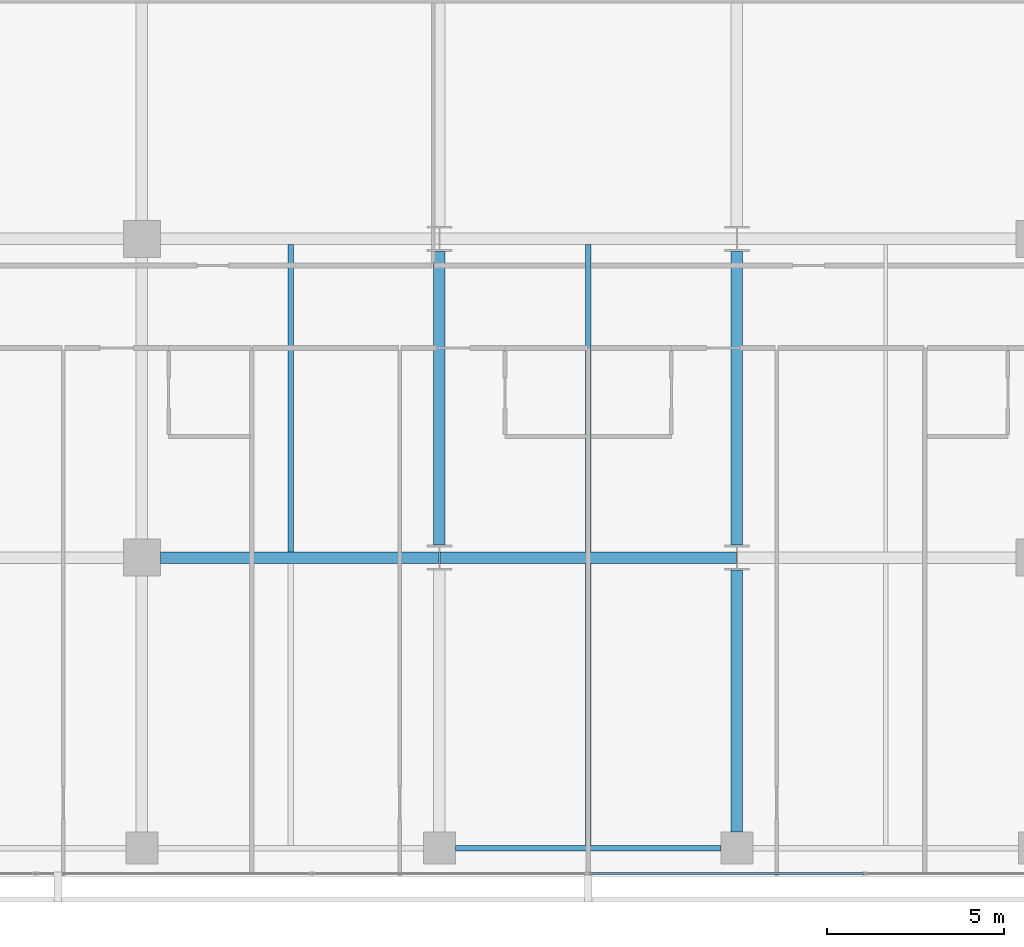
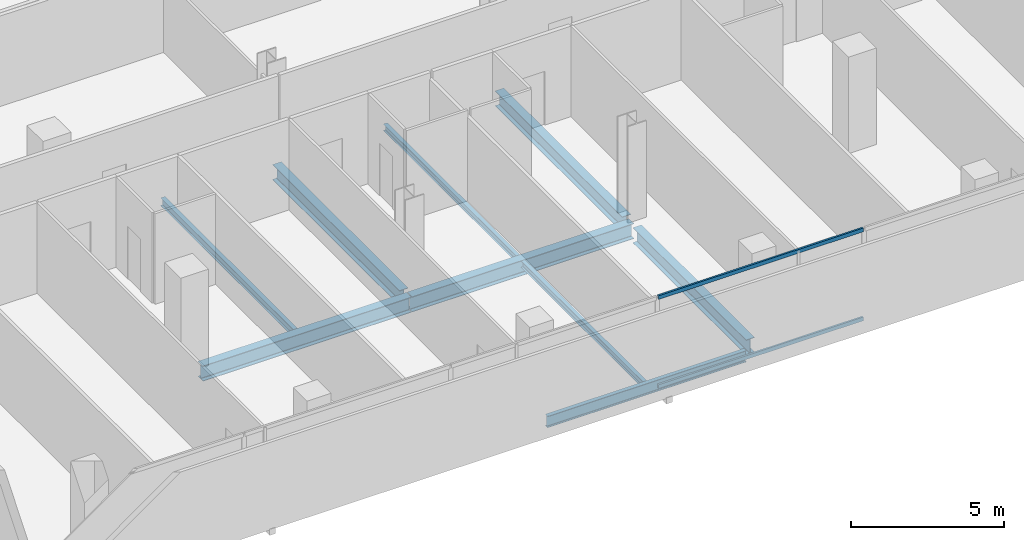
# One storey, part 9 of 40: 9 beams, 2 members, 1 element without a shape of its own.
"""IFC4 building model written with IfcOpenShell, lengths in metres."""

from ifc_helpers import new_model, si_unit, direction, frame, origin, origin_2d, place, context, subcontext, project, spatial, hollow_rectangle, i_section, extrude, material, layer, layer_set, material_profile, profile_set, type_object, element, aggregate, save


model = new_model("IFC4")

# Units and contexts
model_context = context("Model", 3, precision=1e-05, world=origin(), true_north=direction((0.0, 1.0)))
body_context = subcontext(model_context, "Body", "Model", "MODEL_VIEW")
ifc_project = project(units=[si_unit("LENGTHUNIT", "METRE"), si_unit("AREAUNIT", "SQUARE_METRE"), si_unit("VOLUMEUNIT", "CUBIC_METRE"), si_unit("PLANEANGLEUNIT", "RADIAN"), si_unit("MASSUNIT", "GRAM", prefix="KILO")], contexts=[model_context])

# Site, building, storey
site_placement = place(None, origin())
site = spatial("IfcSite", under=ifc_project, at=site_placement, CompositionType="ELEMENT")
building_placement = place(site_placement, origin())
building = spatial("IfcBuilding", under=site, at=building_placement, Name="Maruvema Waterfront Hotel and Observation Tower", CompositionType="ELEMENT")
storey_placement = place(building_placement, frame((0.0, 0.0, 100.10009765625)))
storey = spatial("IfcBuildingStorey", under=building, at=storey_placement, Name="L24", CompositionType="ELEMENT", Elevation=100.10009765625)

# Curtain wall, members
ifc_material_1 = material(Name="Anodised bronze aluminium and solar-control low-E IGU", Category="aluminium")
ifc_layer = layer(ifc_material_1, 0.159912109375, Name="Zone 1 Bronze Inner Thermal Curtain Wall System CW-02")
ifc_layer_set = layer_set([ifc_layer], Name="Anodised bronze aluminium and solar-control low-E IGU")
curtain_wall_type = type_object("IfcCurtainWallType", Name="Zone 1 Bronze Inner Thermal Curtain Wall System CW-02", PredefinedType="USERDEFINED", material=ifc_layer_set)
curtain_wall_placement = place(storey_placement, origin())
curtain_wall = element("IfcCurtainWall", 1, at=curtain_wall_placement, inside=storey, type_object=curtain_wall_type, Name="L24 Curtain Wall CW-L24-S", ObjectType="UNITISED CURTAIN WALL", PredefinedType="USERDEFINED")
ifc_material_2 = material(Name="Anodised architectural bronze aluminium", Category="aluminium")
ifc_material_profile_1 = material_profile(ifc_material_2, hollow_rectangle(XDim=0.070068359375, YDim=0.14990234375, WallThickness=0.00390625, at=origin_2d()), Name="ALU-T70x150")
ifc_profile_set_1 = profile_set([ifc_material_profile_1], Name="Anodised architectural bronze aluminium")
member_type = type_object("IfcMemberType", Name="Curtain Wall Horizontal Transom ALU-T70x150", PredefinedType="USERDEFINED", material=ifc_profile_set_1)
member_1_placement = place(storey_placement, frame((37.830078125, 0.080078125, 0.02978515625), z_axis=(1.0, 0.0, 0.0), x_axis=(0.0, 1.0, 0.0)))
member_1 = element("IfcMember", 2, at=member_1_placement, type_object=member_type, Name="CW-02 transom 4.1", ObjectType="TRANSOM", PredefinedType="USERDEFINED", context=body_context, shape_type="SweptSolid", body=[
    extrude(hollow_rectangle(XDim=0.070068359375, YDim=0.14990234375, WallThickness=0.00390625, at=origin_2d()), origin(), (0.0, 0.0, 1.0), 7.739990234375),
])
member_2_placement = place(storey_placement, frame((37.830078125, 0.080078125, 3.579833984375), z_axis=(1.0, 0.0, 0.0), x_axis=(0.0, 1.0, 0.0)))
member_2 = element("IfcMember", 3, at=member_2_placement, type_object=member_type, Name="CW-02 transom 4.2", ObjectType="TRANSOM", PredefinedType="USERDEFINED", context=body_context, shape_type="SweptSolid", body=[
    extrude(hollow_rectangle(XDim=0.070068359375, YDim=0.14990234375, WallThickness=0.00390625, at=origin_2d()), origin(), (0.0, 0.0, 1.0), 7.739990234375),
])
aggregate(curtain_wall, [member_1, member_2])

# Beams
ifc_material_3 = material(Name="Steel ASTM A572 Grade 50", Category="steel")
ifc_material_profile_2 = material_profile(ifc_material_3, i_section(OverallWidth=0.153076171875, OverallDepth=0.455078125, WebThickness=0.008056640625, FlangeThickness=0.01318359375, FilletRadius=0.014892578125, at=origin_2d()), Name="W460x60.0")
ifc_profile_set_2 = profile_set([ifc_material_profile_2], Name="Steel ASTM A572 Grade 50")
beam_type_1 = type_object("IfcBeamType", Name="Perimeter Spandrel Beam W460x60.0", PredefinedType="SPANDREL", material=ifc_profile_set_2)
beam_1_placement = place(storey_placement, frame((34.050048828125, 0.800048828125, -0.467529296875), z_axis=(1.0, 0.0, 0.0), x_axis=(0.0, 1.0, 0.0)))
element("IfcBeam", 4, at=beam_1_placement, inside=storey, type_object=beam_type_1, Name="L24 Floor Girder EW-03", PredefinedType="SPANDREL", context=body_context, shape_type="SweptSolid", body=[
    extrude(i_section(OverallWidth=0.153076171875, OverallDepth=0.455078125, WebThickness=0.008056640625, FlangeThickness=0.01318359375, FilletRadius=0.014892578125, at=origin_2d()), origin(), (0.0, 0.0, 1.0), 7.5),
])
ifc_material_4 = material(Name="Steel ASTM A572 Grade 50", Category="steel")
ifc_material_profile_3 = material_profile(ifc_material_4, i_section(OverallWidth=0.323974609375, OverallDepth=0.611083984375, WebThickness=0.0126953125, FlangeThickness=0.01904296875, FilletRadius=0.01806640625, at=origin_2d()), Name="W610x155.0")
ifc_profile_set_3 = profile_set([ifc_material_profile_3], Name="Steel ASTM A572 Grade 50")
beam_type_2 = type_object("IfcBeamType", Name="Primary Floor Girder W610x155.0", PredefinedType="BEAM", material=ifc_profile_set_3)
beam_2_placement = place(storey_placement, frame((25.72509765625, 9.0, -0.545654296875), z_axis=(1.0, 0.0, 0.0), x_axis=(0.0, 1.0, 0.0)))
element("IfcBeam", 5, at=beam_2_placement, inside=storey, type_object=beam_type_2, Name="L24 Floor Girder EW-08", PredefinedType="BEAM", context=body_context, shape_type="SweptSolid", body=[
    extrude(i_section(OverallWidth=0.323974609375, OverallDepth=0.611083984375, WebThickness=0.0126953125, FlangeThickness=0.01904296875, FilletRadius=0.01806640625, at=origin_2d()), origin(), (0.0, 0.0, 1.0), 7.86083984375),
])
beam_3_placement = place(storey_placement, frame((33.614013671875, 9.0, -0.545654296875), z_axis=(1.0, 0.0, 0.0), x_axis=(0.0, 1.0, 0.0)))
element("IfcBeam", 6, at=beam_3_placement, inside=storey, type_object=beam_type_2, Name="L24 Floor Girder EW-09", PredefinedType="BEAM", context=body_context, shape_type="SweptSolid", body=[
    extrude(i_section(OverallWidth=0.323974609375, OverallDepth=0.611083984375, WebThickness=0.0126953125, FlangeThickness=0.01904296875, FilletRadius=0.01806640625, at=origin_2d()), origin(), (0.0, 0.0, 1.0), 8.3720703125),
])
beam_4_placement = place(storey_placement, frame((33.60009765625, 9.35009765625, -0.545654296875), z_axis=(0.0, 1.0, 0.0), x_axis=(-1.0, 0.0, 0.0)))
element("IfcBeam", 7, at=beam_4_placement, inside=storey, type_object=beam_type_2, Name="L24 Floor Girder NS-17", PredefinedType="BEAM", context=body_context, shape_type="SweptSolid", body=[
    extrude(i_section(OverallWidth=0.323974609375, OverallDepth=0.611083984375, WebThickness=0.0126953125, FlangeThickness=0.01904296875, FilletRadius=0.01806640625, at=origin_2d()), origin(), (0.0, 0.0, 1.0), 8.2998046875),
])
beam_5_placement = place(storey_placement, frame((42.0, 1.25, -0.545654296875), z_axis=(0.0, 1.0, 0.0), x_axis=(-1.0, 0.0, 0.0)))
element("IfcBeam", 8, at=beam_5_placement, inside=storey, type_object=beam_type_2, Name="L24 Floor Girder NS-19", PredefinedType="BEAM", context=body_context, shape_type="SweptSolid", body=[
    extrude(i_section(OverallWidth=0.323974609375, OverallDepth=0.611083984375, WebThickness=0.0126953125, FlangeThickness=0.01904296875, FilletRadius=0.01806640625, at=origin_2d()), origin(), (0.0, 0.0, 1.0), 7.39990234375),
])
beam_6_placement = place(storey_placement, frame((42.0, 9.35009765625, -0.545654296875), z_axis=(0.0, 1.0, 0.0), x_axis=(-1.0, 0.0, 0.0)))
element("IfcBeam", 9, at=beam_6_placement, inside=storey, type_object=beam_type_2, Name="L24 Floor Girder NS-20", PredefinedType="BEAM", context=body_context, shape_type="SweptSolid", body=[
    extrude(i_section(OverallWidth=0.323974609375, OverallDepth=0.611083984375, WebThickness=0.0126953125, FlangeThickness=0.01904296875, FilletRadius=0.01806640625, at=origin_2d()), origin(), (0.0, 0.0, 1.0), 8.2998046875),
])
ifc_material_5 = material(Name="Steel ASTM A572 Grade 50", Category="steel")
ifc_material_profile_4 = material_profile(ifc_material_5, i_section(OverallWidth=0.14599609375, OverallDepth=0.258056640625, WebThickness=0.006103515625, FlangeThickness=0.009033203125, FilletRadius=0.012939453125, at=origin_2d()), Name="W250x32.7")
ifc_profile_set_4 = profile_set([ifc_material_profile_4], Name="Steel ASTM A572 Grade 50")
beam_type_3 = type_object("IfcBeamType", Name="Secondary Floor Joist W250x32.7", PredefinedType="JOIST", material=ifc_profile_set_4)
beam_7_placement = place(storey_placement, frame((37.800048828125, 9.162109375, -0.369140625), z_axis=(0.0, 1.0, 0.0), x_axis=(-1.0, 0.0, 0.0)))
element("IfcBeam", 10, at=beam_7_placement, inside=storey, type_object=beam_type_3, Name="L24 Secondary Floor Joist JS-13", PredefinedType="JOIST", context=body_context, shape_type="SweptSolid", body=[
    extrude(i_section(OverallWidth=0.14599609375, OverallDepth=0.258056640625, WebThickness=0.006103515625, FlangeThickness=0.009033203125, FilletRadius=0.012939453125, at=origin_2d()), origin(), (0.0, 0.0, 1.0), 8.67578125),
])
ifc_material_6 = material(Name="Steel ASTM A572 Grade 50", Category="steel")
ifc_material_profile_5 = material_profile(ifc_material_6, i_section(OverallWidth=0.14794921875, OverallDepth=0.26611328125, WebThickness=0.007568359375, FlangeThickness=0.012939453125, FilletRadius=0.012939453125, at=origin_2d()), Name="W250x44.8")
ifc_profile_set_5 = profile_set([ifc_material_profile_5], Name="Steel ASTM A572 Grade 50")
beam_type_4 = type_object("IfcBeamType", Name="Secondary Floor Joist W250x44.8", PredefinedType="JOIST", material=ifc_profile_set_5)
beam_8_placement = place(storey_placement, frame((37.800048828125, 0.87646484375, -0.373046875), z_axis=(0.0, 1.0, 0.0), x_axis=(-1.0, 0.0, 0.0)))
element("IfcBeam", 11, at=beam_8_placement, inside=storey, type_object=beam_type_4, Name="L24 Secondary Floor Joist JS-12", PredefinedType="JOIST", context=body_context, shape_type="SweptSolid", body=[
    extrude(i_section(OverallWidth=0.14794921875, OverallDepth=0.26611328125, WebThickness=0.007568359375, FlangeThickness=0.012939453125, FilletRadius=0.012939453125, at=origin_2d()), origin(), (0.0, 0.0, 1.0), 7.96142578125),
])
ifc_material_7 = material(Name="Steel ASTM A572 Grade 50", Category="steel")
ifc_material_profile_6 = material_profile(ifc_material_7, i_section(OverallWidth=0.1650390625, OverallDepth=0.31005859375, WebThickness=0.005859375, FlangeThickness=0.009765625, FilletRadius=0.012939453125, at=origin_2d()), Name="W310x38.7")
ifc_profile_set_6 = profile_set([ifc_material_profile_6], Name="Steel ASTM A572 Grade 50")
beam_type_5 = type_object("IfcBeamType", Name="Secondary Floor Joist W310x38.7", PredefinedType="JOIST", material=ifc_profile_set_6)
beam_9_placement = place(storey_placement, frame((29.39990234375, 9.162109375, -0.39501953125), z_axis=(0.0, 1.0, 0.0), x_axis=(-1.0, 0.0, 0.0)))
element("IfcBeam", 12, at=beam_9_placement, inside=storey, type_object=beam_type_5, Name="L24 Secondary Floor Joist JS-11", PredefinedType="JOIST", context=body_context, shape_type="SweptSolid", body=[
    extrude(i_section(OverallWidth=0.1650390625, OverallDepth=0.31005859375, WebThickness=0.005859375, FlangeThickness=0.009765625, FilletRadius=0.012939453125, at=origin_2d()), origin(), (0.0, 0.0, 1.0), 8.67578125),
])

save(model, "model.ifc")
